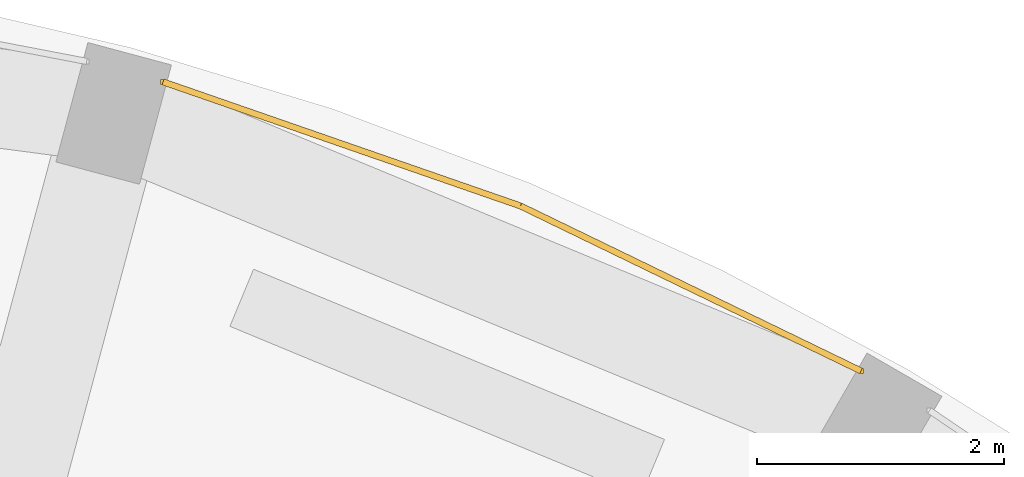
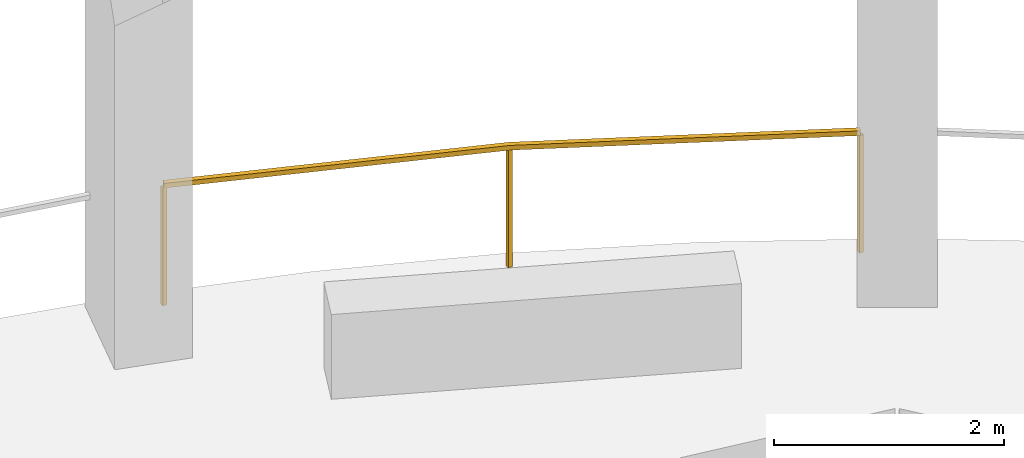
# One storey, part 8 of 8: 1 railing.
"""IFC4 building model written with IfcOpenShell, lengths in metres."""

from ifc_helpers import new_model, si_unit, direction, frame, origin, origin_2d, place, context, subcontext, project, spatial, rectangle, extrude, material, type_object, element, save


model = new_model("IFC4")

# Units and contexts
model_context = context("Model", 3, precision=1e-05, world=origin(), true_north=direction((0.0, 1.0)))
body_context = subcontext(model_context, "Body", "Model", "MODEL_VIEW")
ifc_project = project(units=[si_unit("LENGTHUNIT", "METRE"), si_unit("AREAUNIT", "SQUARE_METRE"), si_unit("VOLUMEUNIT", "CUBIC_METRE"), si_unit("PLANEANGLEUNIT", "RADIAN"), si_unit("MASSUNIT", "GRAM", prefix="KILO")], contexts=[model_context])

# Site, building, storey
site_placement = place(None, origin())
site = spatial("IfcSite", under=ifc_project, at=site_placement, CompositionType="ELEMENT")
building_placement = place(site_placement, origin())
building = spatial("IfcBuilding", under=site, at=building_placement, Name="Torre Triforio", CompositionType="ELEMENT")
storey_placement = place(building_placement, frame((0.0, 0.0, 86.60009765625)))
storey = spatial("IfcBuildingStorey", under=building, at=storey_placement, Name="L18", CompositionType="ELEMENT", Elevation=86.60009765625)

# Railing
ifc_material = material(Name="Stainless steel AISI 316", Category="steel")
railing_type = type_object("IfcRailingType", Name="Loggia guard 1300", PredefinedType="GUARDRAIL", material=ifc_material)
railing_placement = place(storey_placement, frame((12.64794921875, 22.546875, 0.0)))
element("IfcRailing", 1, at=railing_placement, inside=storey, type_object=railing_type, Name="Loggia guard L18 bay 05", PredefinedType="GUARDRAIL", context=body_context, shape_type="SweptSolid", body=[
    extrude(rectangle(XDim=0.050048828125, YDim=0.050048828125, at=origin_2d()), frame((0.0, 0.0, 1.27490234375), z_axis=(-0.899891864914, 0.436113094806, 0.0), x_axis=(-0.436113094806, -0.899891864914, 0.0)), (0.0, 0.0, 1.0), 3.062255859375),
    extrude(rectangle(XDim=0.050048828125, YDim=0.050048828125, at=origin_2d()), frame((-2.755615234375, 1.33544921875, 1.27490234375), z_axis=(-0.944704198295, 0.327923737665, 0.0), x_axis=(-0.327923737665, -0.944704198295, 0.0)), (0.0, 0.0, 1.0), 3.062255859375),
    extrude(rectangle(XDim=0.0400390625, YDim=0.0400390625, at=origin_2d()), origin(), (0.0, 0.0, 1.0), 1.25),
    extrude(rectangle(XDim=0.0400390625, YDim=0.0400390625, at=origin_2d()), frame((-2.755615234375, 1.33544921875, 0.0)), (0.0, 0.0, 1.0), 1.25),
    extrude(rectangle(XDim=0.0400390625, YDim=0.0400390625, at=origin_2d()), frame((-5.6484375, 2.339599609375, 0.0)), (0.0, 0.0, 1.0), 1.25),
])

save(model, "model.ifc")
